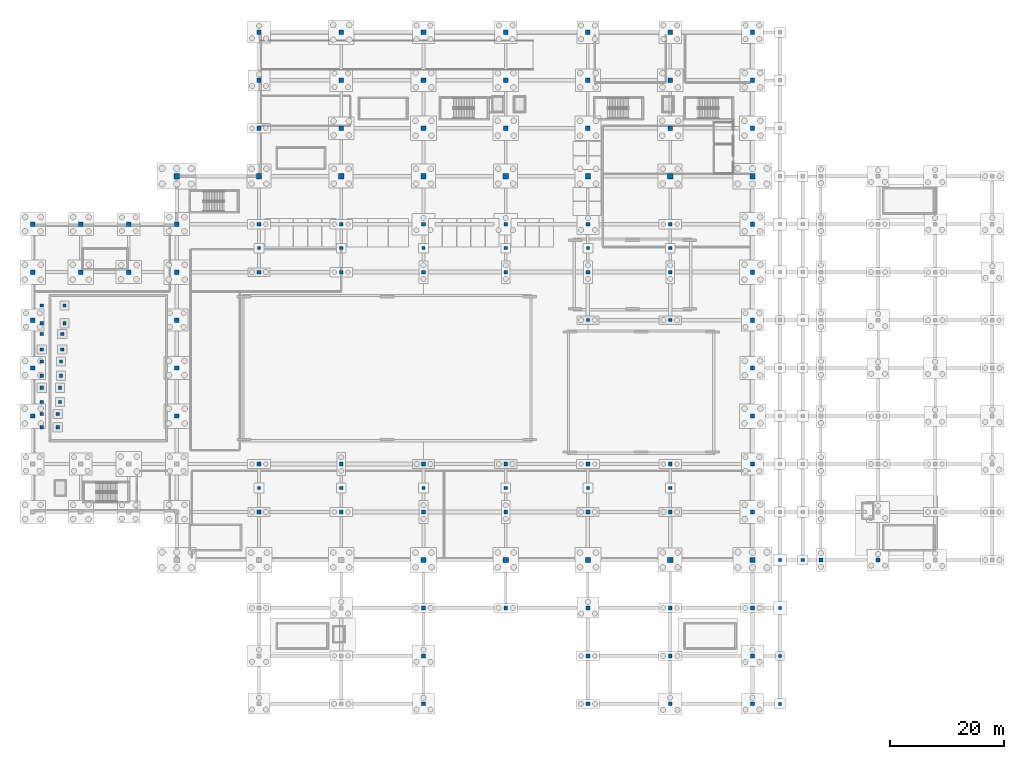
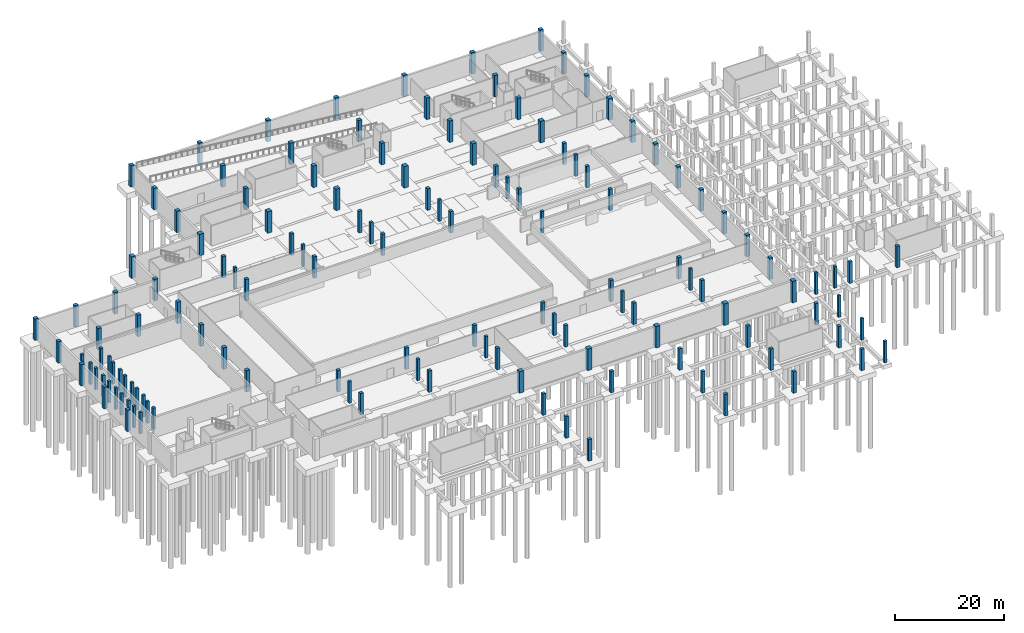
# One storey, part 10 of 26: 133 columns.
"""IFC4 building model written with IfcOpenShell, lengths in metres."""

from ifc_helpers import new_model, si_unit, direction, frame, origin, origin_2d, place, context, subcontext, project, spatial, rectangle, extrude, material, material_profile, profile_set, type_object, element, save


model = new_model("IFC4")

# Units and contexts
model_context = context("Model", 3, precision=1e-05, world=origin(), true_north=direction((0.0, 1.0)))
body_context = subcontext(model_context, "Body", "Model", "MODEL_VIEW")
ifc_project = project(units=[si_unit("LENGTHUNIT", "METRE"), si_unit("AREAUNIT", "SQUARE_METRE"), si_unit("VOLUMEUNIT", "CUBIC_METRE"), si_unit("PLANEANGLEUNIT", "RADIAN"), si_unit("MASSUNIT", "GRAM", prefix="KILO"), si_unit("THERMODYNAMICTEMPERATUREUNIT", "KELVIN")], contexts=[model_context])

# Site, building, storey
site_placement = place(None, origin())
site = spatial("IfcSite", under=ifc_project, at=site_placement, CompositionType="ELEMENT")
building_placement = place(site_placement, origin())
building = spatial("IfcBuilding", under=site, at=building_placement, Name="Nduvali Passage Aquatics Centre", CompositionType="ELEMENT")
storey_placement = place(building_placement, frame((0.0, 0.0, -4.800048828125)))
storey = spatial("IfcBuildingStorey", under=building, at=storey_placement, Name="B01", CompositionType="ELEMENT", Elevation=-4.800048828125)

# Columns
ifc_material = material(Name="Concrete C40/50", Category="concrete")
ifc_material_profile_1 = material_profile(ifc_material, rectangle(XDim=0.550048828125, YDim=0.550048828125, at=origin_2d()), Name="RC 550x550")
ifc_profile_set_1 = profile_set([ifc_material_profile_1], Name="Concrete C40/50")
column_type_1 = type_object("IfcColumnType", Name="STR-COL-RC550", PredefinedType="COLUMN", material=ifc_profile_set_1)
for number, where, z_axis, x_axis, name in (
    (1, (1.550048828125, 48.449951171875, 0.0), (0.0, 0.0, 1.0), (1.0, 0.0, 0.0), "B01 Column C4 (1.6, 48.5)"),
    (2, (1.550048828125, 50.75, 0.0), (0.0, 0.0, 1.0), (1.0, 0.0, 0.0), "B01 Column C4 (1.6, 50.8)"),
    (3, (1.550048828125, 52.85009765625, 0.0), (0.0, 0.0, 1.0), (1.0, 0.0, 0.0), "B01 Column C4 (1.6, 52.9)"),
    (4, (1.550048828125, 55.35009765625, 0.0), (0.0, 0.0, 1.0), (1.0, 0.0, 0.0), "B01 Column C4 (1.6, 55.4)"),
    (5, (1.550048828125, 57.449951171875, 0.0), (0.0, 0.0, 1.0), (1.0, 0.0, 0.0), "B01 Column C4 (1.6, 57.5)"),
    (6, (1.550048828125, 59.949951171875, 0.0), (0.0, 0.0, 1.0), (1.0, 0.0, 0.0), "B01 Column C4 (1.6, 60.0)"),
    (7, (1.550048828125, 62.050048828125, 0.0), (0.0, 0.0, 1.0), (1.0, 0.0, 0.0), "B01 Column C4 (1.6, 62.0)"),
    (8, (1.550048828125, 64.75, 0.0), (0.0, 0.0, 1.0), (1.0, 0.0, 0.0), "B01 Column C4 (1.6, 64.8)"),
    (9, (1.550048828125, 66.64990234375, 0.0), (0.0, 0.0, 1.0), (1.0, 0.0, 0.0), "B01 Column C4 (1.6, 66.7)"),
    (10, (1.550048828125, 69.75, 0.0), (0.0, 0.0, 1.0), (1.0, 0.0, 0.0), "B01 Column C4 (1.6, 69.8)"),
    (11, (4.35009765625, 48.449951171875, 0.0), (0.0, 0.0, 1.0), (1.0, 0.0, 0.0), "B01 Column C4 (4.3, 48.5)"),
    (12, (4.35009765625, 50.75, 0.0), (0.0, 0.0, 1.0), (1.0, 0.0, 0.0), "B01 Column C4 (4.3, 50.8)"),
    (13, (4.75, 52.85009765625, 0.0), (0.0, 0.0, 1.0), (1.0, 0.0, 0.0), "B01 Column C4 (4.8, 52.9)"),
    (14, (4.75, 55.35009765625, 0.0), (0.0, 0.0, 1.0), (1.0, 0.0, 0.0), "B01 Column C4 (4.8, 55.4)"),
    (15, (4.949951171875, 57.449951171875, 0.0), (0.0, 0.0, 1.0), (1.0, 0.0, 0.0), "B01 Column C4 (5.0, 57.5)"),
    (16, (4.949951171875, 59.949951171875, 0.0), (0.0, 0.0, 1.0), (1.0, 0.0, 0.0), "B01 Column C4 (5.0, 60.0)"),
    (17, (5.14990234375, 62.050048828125, 0.0), (0.0, 0.0, 1.0), (1.0, 0.0, 0.0), "B01 Column C4 (5.2, 62.0)"),
    (18, (5.14990234375, 64.75, 0.0), (0.0, 0.0, 1.0), (1.0, 0.0, 0.0), "B01 Column C4 (5.2, 64.8)"),
    (19, (5.550048828125, 66.64990234375, 0.0), (0.0, 0.0, 1.0), (1.0, 0.0, 0.0), "B01 Column C4 (5.5, 66.7)"),
    (20, (5.550048828125, 69.75, 0.0), (0.0, 0.0, 1.0), (1.0, 0.0, 0.0), "B01 Column C4 (5.5, 69.8)"),
    (21, (39.60009765625, 37.800048828125, 0.0), (0.0, 0.0, 1.0), (1.0, 0.0, 0.0), "B01 Column C4 (39.6, 37.8)"),
    (22, (39.60009765625, 79.800048828125, 0.0), (0.0, 0.0, 1.0), (1.0, 0.0, 0.0), "B01 Column C4 (39.6, 79.8)"),
    (23, (54.0, 37.800048828125, 0.0), (0.0, 0.0, 1.0), (1.0, 0.0, 0.0), "B01 Column C4 (54.0, 37.8)"),
    (24, (54.0, 79.800048828125, 0.0), (0.0, 0.0, 1.0), (1.0, 0.0, 0.0), "B01 Column C4 (54.0, 79.8)"),
    (25, (68.39990234375, 37.800048828125, 0.0), (0.0, 0.0, 1.0), (1.0, 0.0, 0.0), "B01 Column C4 (68.4, 37.8)"),
    (26, (68.39990234375, 79.800048828125, 0.0), (0.0, 0.0, 1.0), (1.0, 0.0, 0.0), "B01 Column C4 (68.4, 79.8)"),
    (27, (82.800048828125, 37.800048828125, 0.0), (0.0, 0.0, 1.0), (1.0, 0.0, 0.0), "B01 Column C4 (82.8, 37.8)"),
    (28, (82.800048828125, 79.800048828125, 0.0), (0.0, 0.0, 1.0), (1.0, 0.0, 0.0), "B01 Column C4 (82.8, 79.8)"),
    (29, (97.199951171875, 37.800048828125, 0.0), (0.0, 0.0, 1.0), (1.0, 0.0, 0.0), "B01 Column C4 (97.2, 37.8)"),
    (30, (97.199951171875, 67.199951171875, 0.0), (0.0, 0.0, 1.0), (1.0, 0.0, 0.0), "B01 Column C4 (97.2, 67.2)"),
    (31, (97.199951171875, 79.800048828125, 0.0), (0.0, 0.0, 1.0), (1.0, 0.0, 0.0), "B01 Column C4 (97.2, 79.8)"),
    (32, (111.60009765625, 37.800048828125, 0.0), (0.0, 0.0, 1.0), (1.0, 0.0, 0.0), "B01 Column C4 (111.6, 37.8)"),
    (33, (111.60009765625, 67.199951171875, 0.0), (0.0, 0.0, 1.0), (1.0, 0.0, 0.0), "B01 Column C4 (111.6, 67.2)"),
    (34, (111.60009765625, 79.800048828125, 0.0), (0.0, 0.0, 1.0), (1.0, 0.0, 0.0), "B01 Column C4 (111.6, 79.8)"),
    (35, (130.800048828125, 0.0, 0.0), (0.0, 0.0, 1.0), (1.0, 0.0, 0.0), "B01 Column C4 (130.8, 0.0)"),
    (36, (130.800048828125, 8.39990234375, 0.0), (0.0, 0.0, 1.0), (1.0, 0.0, 0.0), "B01 Column C4 (130.8, 8.4)"),
    (37, (130.800048828125, 16.800048828125, 0.0), (0.0, 0.0, 1.0), (1.0, 0.0, 0.0), "B01 Column C4 (130.8, 16.8)"),
    (38, (130.800048828125, 25.199951171875, 0.0), (0.0, 0.0, 1.0), (1.0, 0.0, 0.0), "B01 Column C4 (130.8, 25.2)"),
    (39, (134.800048828125, 25.199951171875, 0.0), (0.0, 0.0, 1.0), (1.0, 0.0, 0.0), "B01 Column C4 (134.8, 25.2)"),
):
    element("IfcColumn", number, at=place(storey_placement, frame(where, z_axis=z_axis, x_axis=x_axis)), inside=storey, type_object=column_type_1, Name=name, PredefinedType="COLUMN", context=body_context, shape_type="SweptSolid", body=[
        extrude(rectangle(XDim=0.550048828125, YDim=0.550048828125, at=origin_2d()), origin(), (0.0, 0.0, 1.0), 4.800048828125),
    ])
ifc_material_profile_2 = material_profile(ifc_material, rectangle(XDim=0.64990234375, YDim=0.64990234375, at=origin_2d()), Name="RC 650x650")
ifc_profile_set_2 = profile_set([ifc_material_profile_2], Name="Concrete C40/50")
column_type_2 = type_object("IfcColumnType", Name="STR-COL-RC650", PredefinedType="COLUMN", material=ifc_profile_set_2)
for number, where, z_axis, x_axis, name in (
    (40, (39.60009765625, 33.60009765625, 0.0), (0.0, 0.0, 1.0), (1.0, 0.0, 0.0), "B01 Column C3 (39.6, 33.6)"),
    (41, (39.60009765625, 42.0, 0.0), (0.0, 0.0, 1.0), (1.0, 0.0, 0.0), "B01 Column C3 (39.6, 42.0)"),
    (42, (39.60009765625, 75.60009765625, 0.0), (0.0, 0.0, 1.0), (1.0, 0.0, 0.0), "B01 Column C3 (39.6, 75.6)"),
    (43, (39.60009765625, 84.0, 0.0), (0.0, 0.0, 1.0), (1.0, 0.0, 0.0), "B01 Column C3 (39.6, 84.0)"),
    (44, (54.0, 33.60009765625, 0.0), (0.0, 0.0, 1.0), (1.0, 0.0, 0.0), "B01 Column C3 (54.0, 33.6)"),
    (45, (54.0, 42.0, 0.0), (0.0, 0.0, 1.0), (1.0, 0.0, 0.0), "B01 Column C3 (54.0, 42.0)"),
    (46, (54.0, 75.60009765625, 0.0), (0.0, 0.0, 1.0), (1.0, 0.0, 0.0), "B01 Column C3 (54.0, 75.6)"),
    (47, (54.0, 84.0, 0.0), (0.0, 0.0, 1.0), (1.0, 0.0, 0.0), "B01 Column C3 (54.0, 84.0)"),
    (48, (68.39990234375, 0.0, 0.0), (0.0, 0.0, 1.0), (1.0, 0.0, 0.0), "B01 Column C3 (68.4, 0.0)"),
    (49, (68.39990234375, 8.39990234375, 0.0), (0.0, 0.0, 1.0), (1.0, 0.0, 0.0), "B01 Column C3 (68.4, 8.4)"),
    (50, (68.39990234375, 16.800048828125, 0.0), (0.0, 0.0, 1.0), (1.0, 0.0, 0.0), "B01 Column C3 (68.4, 16.8)"),
    (51, (68.39990234375, 33.60009765625, 0.0), (0.0, 0.0, 1.0), (1.0, 0.0, 0.0), "B01 Column C3 (68.4, 33.6)"),
    (52, (68.39990234375, 42.0, 0.0), (0.0, 0.0, 1.0), (1.0, 0.0, 0.0), "B01 Column C3 (68.4, 42.0)"),
    (53, (68.39990234375, 75.60009765625, 0.0), (0.0, 0.0, 1.0), (1.0, 0.0, 0.0), "B01 Column C3 (68.4, 75.6)"),
    (54, (68.39990234375, 84.0, 0.0), (0.0, 0.0, 1.0), (1.0, 0.0, 0.0), "B01 Column C3 (68.4, 84.0)"),
    (55, (82.800048828125, 16.800048828125, 0.0), (0.0, 0.0, 1.0), (1.0, 0.0, 0.0), "B01 Column C3 (82.8, 16.8)"),
    (56, (82.800048828125, 33.60009765625, 0.0), (0.0, 0.0, 1.0), (1.0, 0.0, 0.0), "B01 Column C3 (82.8, 33.6)"),
    (57, (82.800048828125, 42.0, 0.0), (0.0, 0.0, 1.0), (1.0, 0.0, 0.0), "B01 Column C3 (82.8, 42.0)"),
    (58, (82.800048828125, 75.60009765625, 0.0), (0.0, 0.0, 1.0), (1.0, 0.0, 0.0), "B01 Column C3 (82.8, 75.6)"),
    (59, (82.800048828125, 84.0, 0.0), (0.0, 0.0, 1.0), (1.0, 0.0, 0.0), "B01 Column C3 (82.8, 84.0)"),
    (60, (97.199951171875, 0.0, 0.0), (0.0, 0.0, 1.0), (1.0, 0.0, 0.0), "B01 Column C3 (97.2, 0.0)"),
    (61, (97.199951171875, 8.39990234375, 0.0), (0.0, 0.0, 1.0), (1.0, 0.0, 0.0), "B01 Column C3 (97.2, 8.4)"),
    (62, (97.199951171875, 16.800048828125, 0.0), (0.0, 0.0, 1.0), (1.0, 0.0, 0.0), "B01 Column C3 (97.2, 16.8)"),
    (63, (97.199951171875, 33.60009765625, 0.0), (0.0, 0.0, 1.0), (1.0, 0.0, 0.0), "B01 Column C3 (97.2, 33.6)"),
    (64, (97.199951171875, 42.0, 0.0), (0.0, 0.0, 1.0), (1.0, 0.0, 0.0), "B01 Column C3 (97.2, 42.0)"),
    (65, (97.199951171875, 75.60009765625, 0.0), (0.0, 0.0, 1.0), (1.0, 0.0, 0.0), "B01 Column C3 (97.2, 75.6)"),
    (66, (97.199951171875, 84.0, 0.0), (0.0, 0.0, 1.0), (1.0, 0.0, 0.0), "B01 Column C3 (97.2, 84.0)"),
    (67, (111.60009765625, 0.0, 0.0), (0.0, 0.0, 1.0), (1.0, 0.0, 0.0), "B01 Column C3 (111.6, 0.0)"),
    (68, (111.60009765625, 8.39990234375, 0.0), (0.0, 0.0, 1.0), (1.0, 0.0, 0.0), "B01 Column C3 (111.6, 8.4)"),
    (69, (111.60009765625, 16.800048828125, 0.0), (0.0, 0.0, 1.0), (1.0, 0.0, 0.0), "B01 Column C3 (111.6, 16.8)"),
    (70, (111.60009765625, 33.60009765625, 0.0), (0.0, 0.0, 1.0), (1.0, 0.0, 0.0), "B01 Column C3 (111.6, 33.6)"),
    (71, (111.60009765625, 42.0, 0.0), (0.0, 0.0, 1.0), (1.0, 0.0, 0.0), "B01 Column C3 (111.6, 42.0)"),
    (72, (111.60009765625, 75.60009765625, 0.0), (0.0, 0.0, 1.0), (1.0, 0.0, 0.0), "B01 Column C3 (111.6, 75.6)"),
    (73, (111.60009765625, 84.0, 0.0), (0.0, 0.0, 1.0), (1.0, 0.0, 0.0), "B01 Column C3 (111.6, 84.0)"),
    (74, (126.0, 0.0, 0.0), (0.0, 0.0, 1.0), (1.0, 0.0, 0.0), "B01 Column C3 (126.0, 0.0)"),
    (75, (126.0, 8.39990234375, 0.0), (0.0, 0.0, 1.0), (1.0, 0.0, 0.0), "B01 Column C3 (126.0, 8.4)"),
    (76, (126.0, 16.800048828125, 0.0), (0.0, 0.0, 1.0), (1.0, 0.0, 0.0), "B01 Column C3 (126.0, 16.8)"),
    (77, (138.0, 25.199951171875, 0.0), (0.0, 0.0, 1.0), (1.0, 0.0, 0.0), "B01 Column C3 (138.0, 25.2)"),
    (78, (148.0, 25.199951171875, 0.0), (0.0, 0.0, 1.0), (1.0, 0.0, 0.0), "B01 Column C3 (148.0, 25.2)"),
):
    element("IfcColumn", number, at=place(storey_placement, frame(where, z_axis=z_axis, x_axis=x_axis)), inside=storey, type_object=column_type_2, Name=name, PredefinedType="COLUMN", context=body_context, shape_type="SweptSolid", body=[
        extrude(rectangle(XDim=0.64990234375, YDim=0.64990234375, at=origin_2d()), origin(), (0.0, 0.0, 1.0), 4.800048828125),
    ])
ifc_material_profile_3 = material_profile(ifc_material, rectangle(XDim=0.75, YDim=0.75, at=origin_2d()), Name="RC 750x750")
ifc_profile_set_3 = profile_set([ifc_material_profile_3], Name="Concrete C40/50")
column_type_3 = type_object("IfcColumnType", Name="STR-COL-RC750", PredefinedType="COLUMN", material=ifc_profile_set_3)
for number, where, z_axis, x_axis, name in (
    (79, (8.39990234375, 75.60009765625, 0.0), (0.0, 0.0, 1.0), (1.0, 0.0, 0.0), "B01 Column C2 (8.4, 75.6)"),
    (80, (16.800048828125, 75.60009765625, 0.0), (0.0, 0.0, 1.0), (1.0, 0.0, 0.0), "B01 Column C2 (16.8, 75.6)"),
    (81, (25.199951171875, 50.39990234375, 0.0), (0.0, 0.0, 1.0), (1.0, 0.0, 0.0), "B01 Column C2 (25.2, 50.4)"),
    (82, (25.199951171875, 58.800048828125, 0.0), (0.0, 0.0, 1.0), (1.0, 0.0, 0.0), "B01 Column C2 (25.2, 58.8)"),
    (83, (25.199951171875, 67.199951171875, 0.0), (0.0, 0.0, 1.0), (1.0, 0.0, 0.0), "B01 Column C2 (25.2, 67.2)"),
    (84, (25.199951171875, 75.60009765625, 0.0), (0.0, 0.0, 1.0), (1.0, 0.0, 0.0), "B01 Column C2 (25.2, 75.6)"),
    (85, (25.199951171875, 84.0, 0.0), (0.0, 0.0, 1.0), (1.0, 0.0, 0.0), "B01 Column C2 (25.2, 84.0)"),
    (86, (54.0, 100.800048828125, 0.0), (0.0, 0.0, 1.0), (1.0, 0.0, 0.0), "B01 Column C2 (54.0, 100.8)"),
    (87, (54.0, 109.199951171875, 0.0), (0.0, 0.0, 1.0), (1.0, 0.0, 0.0), "B01 Column C2 (54.0, 109.2)"),
    (88, (82.800048828125, 100.800048828125, 0.0), (0.0, 0.0, 1.0), (1.0, 0.0, 0.0), "B01 Column C2 (82.8, 100.8)"),
    (89, (82.800048828125, 109.199951171875, 0.0), (0.0, 0.0, 1.0), (1.0, 0.0, 0.0), "B01 Column C2 (82.8, 109.2)"),
    (90, (111.60009765625, 100.800048828125, 0.0), (0.0, 0.0, 1.0), (1.0, 0.0, 0.0), "B01 Column C2 (111.6, 100.8)"),
    (91, (111.60009765625, 109.199951171875, 0.0), (0.0, 0.0, 1.0), (1.0, 0.0, 0.0), "B01 Column C2 (111.6, 109.2)"),
):
    element("IfcColumn", number, at=place(storey_placement, frame(where, z_axis=z_axis, x_axis=x_axis)), inside=storey, type_object=column_type_3, Name=name, PredefinedType="COLUMN", context=body_context, shape_type="SweptSolid", body=[
        extrude(rectangle(XDim=0.75, YDim=0.75, at=origin_2d()), origin(), (0.0, 0.0, 1.0), 4.800048828125),
    ])
ifc_material_profile_4 = material_profile(ifc_material, rectangle(XDim=0.75, YDim=0.75, at=origin_2d()), Name="RC 750x750")
ifc_profile_set_4 = profile_set([ifc_material_profile_4], Name="Concrete C40/50")
column_type_4 = type_object("IfcColumnType", Name="STR-COL-RC750-EXT", PredefinedType="COLUMN", material=ifc_profile_set_4)
for number, where, z_axis, x_axis, name in (
    (92, (0.0, 50.39990234375, 0.0), (0.0, 0.0, 1.0), (1.0, 0.0, 0.0), "B01 Column C2E (0.0, 50.4)"),
    (93, (0.0, 58.800048828125, 0.0), (0.0, 0.0, 1.0), (1.0, 0.0, 0.0), "B01 Column C2E (0.0, 58.8)"),
    (94, (0.0, 67.199951171875, 0.0), (0.0, 0.0, 1.0), (1.0, 0.0, 0.0), "B01 Column C2E (0.0, 67.2)"),
    (95, (0.0, 75.60009765625, 0.0), (0.0, 0.0, 1.0), (1.0, 0.0, 0.0), "B01 Column C2E (0.0, 75.6)"),
    (96, (0.0, 84.0, 0.0), (0.0, 0.0, 1.0), (1.0, 0.0, 0.0), "B01 Column C2E (0.0, 84.0)"),
    (97, (8.39990234375, 84.0, 0.0), (0.0, 0.0, 1.0), (1.0, 0.0, 0.0), "B01 Column C2E (8.4, 84.0)"),
    (98, (16.800048828125, 84.0, 0.0), (0.0, 0.0, 1.0), (1.0, 0.0, 0.0), "B01 Column C2E (16.8, 84.0)"),
    (99, (39.60009765625, 100.800048828125, 0.0), (0.0, 0.0, 1.0), (1.0, 0.0, 0.0), "B01 Column C2E (39.6, 100.8)"),
    (100, (39.60009765625, 109.199951171875, 0.0), (0.0, 0.0, 1.0), (1.0, 0.0, 0.0), "B01 Column C2E (39.6, 109.2)"),
    (101, (39.60009765625, 117.60009765625, 0.0), (0.0, 0.0, 1.0), (1.0, 0.0, 0.0), "B01 Column C2E (39.6, 117.6)"),
    (102, (54.0, 117.60009765625, 0.0), (0.0, 0.0, 1.0), (1.0, 0.0, 0.0), "B01 Column C2E (54.0, 117.6)"),
    (103, (82.800048828125, 117.60009765625, 0.0), (0.0, 0.0, 1.0), (1.0, 0.0, 0.0), "B01 Column C2E (82.8, 117.6)"),
    (104, (111.60009765625, 117.60009765625, 0.0), (0.0, 0.0, 1.0), (1.0, 0.0, 0.0), "B01 Column C2E (111.6, 117.6)"),
    (105, (126.0, 33.60009765625, 0.0), (0.0, 0.0, 1.0), (1.0, 0.0, 0.0), "B01 Column C2E (126.0, 33.6)"),
    (106, (126.0, 42.0, 0.0), (0.0, 0.0, 1.0), (1.0, 0.0, 0.0), "B01 Column C2E (126.0, 42.0)"),
    (107, (126.0, 50.39990234375, 0.0), (0.0, 0.0, 1.0), (1.0, 0.0, 0.0), "B01 Column C2E (126.0, 50.4)"),
    (108, (126.0, 58.800048828125, 0.0), (0.0, 0.0, 1.0), (1.0, 0.0, 0.0), "B01 Column C2E (126.0, 58.8)"),
    (109, (126.0, 67.199951171875, 0.0), (0.0, 0.0, 1.0), (1.0, 0.0, 0.0), "B01 Column C2E (126.0, 67.2)"),
    (110, (126.0, 75.60009765625, 0.0), (0.0, 0.0, 1.0), (1.0, 0.0, 0.0), "B01 Column C2E (126.0, 75.6)"),
    (111, (126.0, 84.0, 0.0), (0.0, 0.0, 1.0), (1.0, 0.0, 0.0), "B01 Column C2E (126.0, 84.0)"),
    (112, (126.0, 100.800048828125, 0.0), (0.0, 0.0, 1.0), (1.0, 0.0, 0.0), "B01 Column C2E (126.0, 100.8)"),
    (113, (126.0, 109.199951171875, 0.0), (0.0, 0.0, 1.0), (1.0, 0.0, 0.0), "B01 Column C2E (126.0, 109.2)"),
    (114, (126.0, 117.60009765625, 0.0), (0.0, 0.0, 1.0), (1.0, 0.0, 0.0), "B01 Column C2E (126.0, 117.6)"),
):
    element("IfcColumn", number, at=place(storey_placement, frame(where, z_axis=z_axis, x_axis=x_axis)), inside=storey, type_object=column_type_4, Name=name, PredefinedType="COLUMN", context=body_context, shape_type="SweptSolid", body=[
        extrude(rectangle(XDim=0.75, YDim=0.75, at=origin_2d()), origin(), (0.0, 0.0, 1.0), 4.800048828125),
    ])
ifc_material_profile_5 = material_profile(ifc_material, rectangle(XDim=0.800048828125, YDim=0.800048828125, at=origin_2d()), Name="RC 800x800")
ifc_profile_set_5 = profile_set([ifc_material_profile_5], Name="Concrete C40/50")
column_type_5 = type_object("IfcColumnType", Name="STR-COL-RC800", PredefinedType="COLUMN", material=ifc_profile_set_5)
for number, where, z_axis, x_axis, name in (
    (115, (68.39990234375, 100.800048828125, 0.0), (0.0, 0.0, 1.0), (1.0, 0.0, 0.0), "B01 Column C1A (68.4, 100.8)"),
    (116, (68.39990234375, 109.199951171875, 0.0), (0.0, 0.0, 1.0), (1.0, 0.0, 0.0), "B01 Column C1A (68.4, 109.2)"),
    (117, (97.199951171875, 100.800048828125, 0.0), (0.0, 0.0, 1.0), (1.0, 0.0, 0.0), "B01 Column C1A (97.2, 100.8)"),
    (118, (97.199951171875, 109.199951171875, 0.0), (0.0, 0.0, 1.0), (1.0, 0.0, 0.0), "B01 Column C1A (97.2, 109.2)"),
):
    element("IfcColumn", number, at=place(storey_placement, frame(where, z_axis=z_axis, x_axis=x_axis)), inside=storey, type_object=column_type_5, Name=name, PredefinedType="COLUMN", context=body_context, shape_type="SweptSolid", body=[
        extrude(rectangle(XDim=0.800048828125, YDim=0.800048828125, at=origin_2d()), origin(), (0.0, 0.0, 1.0), 4.800048828125),
    ])
ifc_material_profile_6 = material_profile(ifc_material, rectangle(XDim=0.800048828125, YDim=0.800048828125, at=origin_2d()), Name="RC 800x800")
ifc_profile_set_6 = profile_set([ifc_material_profile_6], Name="Concrete C40/50")
column_type_6 = type_object("IfcColumnType", Name="STR-COL-RC800-EXT", PredefinedType="COLUMN", material=ifc_profile_set_6)
for number, where, z_axis, x_axis, name in (
    (119, (68.39990234375, 117.60009765625, 0.0), (0.0, 0.0, 1.0), (1.0, 0.0, 0.0), "B01 Column C1AE (68.4, 117.6)"),
    (120, (97.199951171875, 117.60009765625, 0.0), (0.0, 0.0, 1.0), (1.0, 0.0, 0.0), "B01 Column C1AE (97.2, 117.6)"),
):
    element("IfcColumn", number, at=place(storey_placement, frame(where, z_axis=z_axis, x_axis=x_axis)), inside=storey, type_object=column_type_6, Name=name, PredefinedType="COLUMN", context=body_context, shape_type="SweptSolid", body=[
        extrude(rectangle(XDim=0.800048828125, YDim=0.800048828125, at=origin_2d()), origin(), (0.0, 0.0, 1.0), 4.800048828125),
    ])
ifc_material_profile_7 = material_profile(ifc_material, rectangle(XDim=0.89990234375, YDim=0.89990234375, at=origin_2d()), Name="RC 900x900")
ifc_profile_set_7 = profile_set([ifc_material_profile_7], Name="Concrete C40/50")
column_type_7 = type_object("IfcColumnType", Name="STR-COL-RC900-EXT", PredefinedType="COLUMN", material=ifc_profile_set_7)
for number, where, z_axis, x_axis, name in (
    (121, (25.199951171875, 92.39990234375, 0.0), (0.0, 0.0, 1.0), (1.0, 0.0, 0.0), "B01 Column C1E (25.2, 92.4)"),
    (122, (39.60009765625, 92.39990234375, 0.0), (0.0, 0.0, 1.0), (1.0, 0.0, 0.0), "B01 Column C1E (39.6, 92.4)"),
    (123, (54.0, 92.39990234375, 0.0), (0.0, 0.0, 1.0), (1.0, 0.0, 0.0), "B01 Column C1E (54.0, 92.4)"),
    (124, (68.39990234375, 25.199951171875, 0.0), (0.0, 0.0, 1.0), (1.0, 0.0, 0.0), "B01 Column C1E (68.4, 25.2)"),
    (125, (68.39990234375, 92.39990234375, 0.0), (0.0, 0.0, 1.0), (1.0, 0.0, 0.0), "B01 Column C1E (68.4, 92.4)"),
    (126, (82.800048828125, 25.199951171875, 0.0), (0.0, 0.0, 1.0), (1.0, 0.0, 0.0), "B01 Column C1E (82.8, 25.2)"),
    (127, (82.800048828125, 92.39990234375, 0.0), (0.0, 0.0, 1.0), (1.0, 0.0, 0.0), "B01 Column C1E (82.8, 92.4)"),
    (128, (97.199951171875, 25.199951171875, 0.0), (0.0, 0.0, 1.0), (1.0, 0.0, 0.0), "B01 Column C1E (97.2, 25.2)"),
    (129, (97.199951171875, 92.39990234375, 0.0), (0.0, 0.0, 1.0), (1.0, 0.0, 0.0), "B01 Column C1E (97.2, 92.4)"),
    (130, (111.60009765625, 25.199951171875, 0.0), (0.0, 0.0, 1.0), (1.0, 0.0, 0.0), "B01 Column C1E (111.6, 25.2)"),
    (131, (111.60009765625, 92.39990234375, 0.0), (0.0, 0.0, 1.0), (1.0, 0.0, 0.0), "B01 Column C1E (111.6, 92.4)"),
    (132, (126.0, 25.199951171875, 0.0), (0.0, 0.0, 1.0), (1.0, 0.0, 0.0), "B01 Column C1E (126.0, 25.2)"),
    (133, (126.0, 92.39990234375, 0.0), (0.0, 0.0, 1.0), (1.0, 0.0, 0.0), "B01 Column C1E (126.0, 92.4)"),
):
    element("IfcColumn", number, at=place(storey_placement, frame(where, z_axis=z_axis, x_axis=x_axis)), inside=storey, type_object=column_type_7, Name=name, PredefinedType="COLUMN", context=body_context, shape_type="SweptSolid", body=[
        extrude(rectangle(XDim=0.89990234375, YDim=0.89990234375, at=origin_2d()), origin(), (0.0, 0.0, 1.0), 4.800048828125),
    ])

save(model, "model.ifc")
